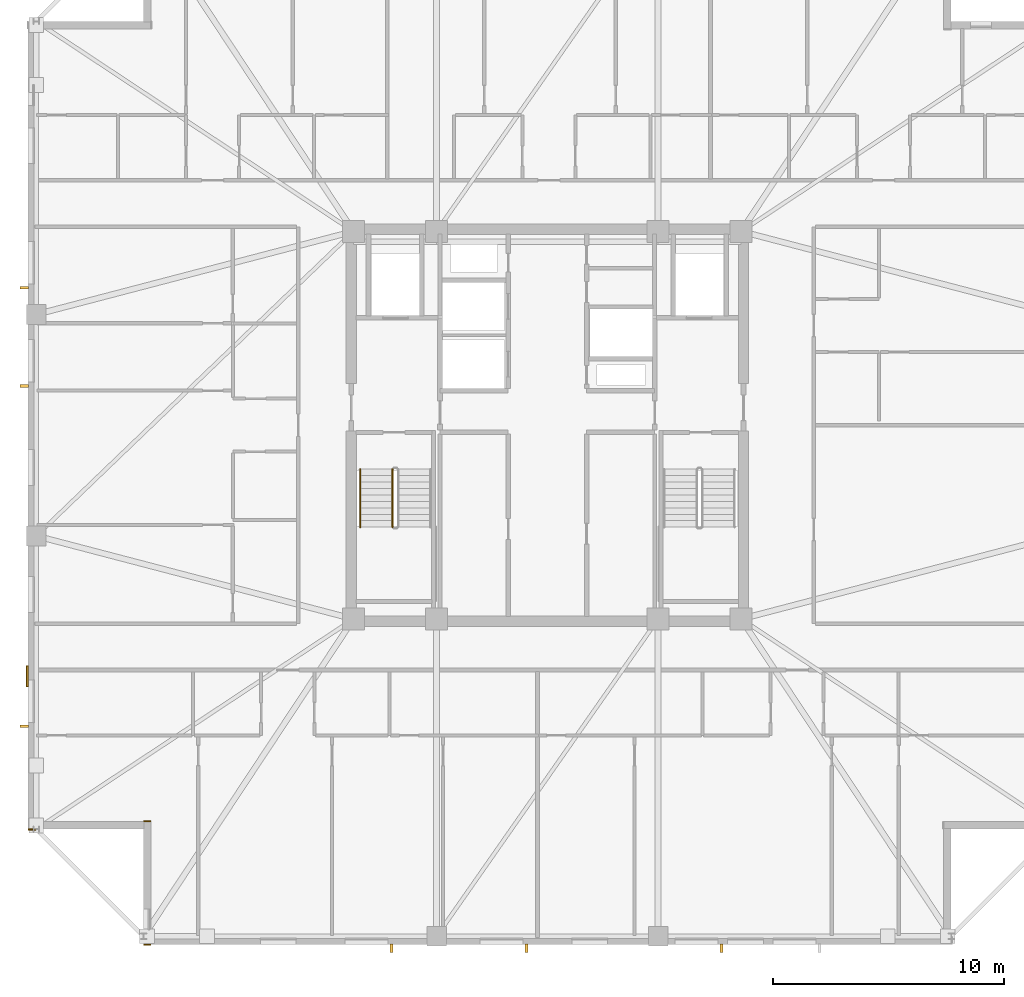
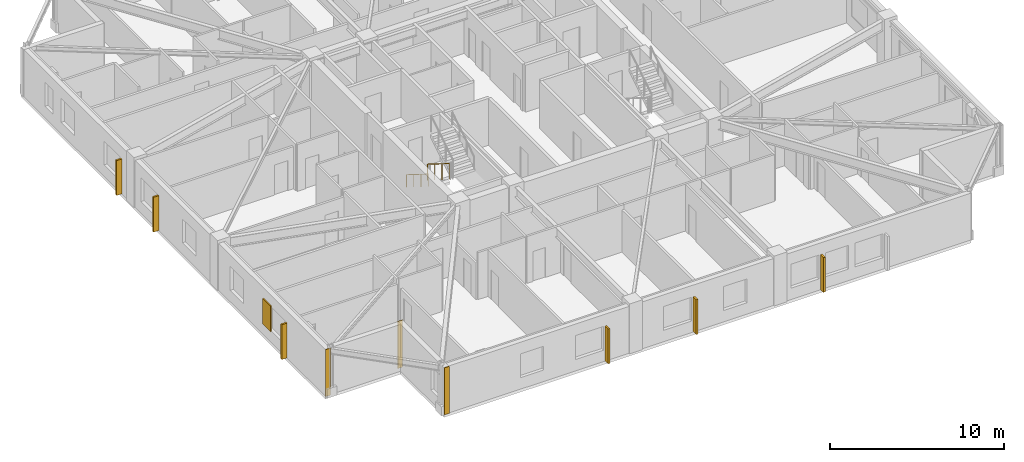
# One storey, part 13 of 17: 7 shading devices, 3 coverings, 2 railings.
"""IFC4 building model written with IfcOpenShell, lengths in metres."""

from ifc_helpers import new_model, si_unit, direction, frame, frame_2d, origin, origin_2d, place, context, subcontext, project, spatial, rectangle, circle, extrude, material, layer, layer_set, type_object, element, save


model = new_model("IFC4")

# Units and contexts
model_context = context("Model", 3, precision=1e-05, world=origin(), true_north=direction((0.0, 1.0)))
body_context = subcontext(model_context, "Body", "Model", "MODEL_VIEW")
ifc_project = project(units=[si_unit("LENGTHUNIT", "METRE"), si_unit("AREAUNIT", "SQUARE_METRE"), si_unit("VOLUMEUNIT", "CUBIC_METRE"), si_unit("PLANEANGLEUNIT", "RADIAN"), si_unit("MASSUNIT", "GRAM", prefix="KILO")], contexts=[model_context])

# Site, building, storey
site_placement = place(None, origin())
site = spatial("IfcSite", under=ifc_project, at=site_placement, CompositionType="ELEMENT")
building_placement = place(site_placement, origin())
building = spatial("IfcBuilding", under=site, at=building_placement, Name="Cairnveth Concourse Tower", CompositionType="ELEMENT")
storey_placement = place(building_placement, frame((0.0, 0.0, 223.5)))
storey = spatial("IfcBuildingStorey", under=building, at=storey_placement, Name="L61", CompositionType="ELEMENT", Elevation=223.5)

# Coverings
ifc_material_1 = material(Name="Dressed Melbourne Bluestone Cladding", Category="masonry")
ifc_layer = layer(ifc_material_1, 0.050048828125)
ifc_layer_set = layer_set([ifc_layer], Name="Dressed Melbourne Bluestone Cladding")
covering_type = type_object("IfcCoveringType", Name="DRESSED BLUESTONE PLINTH CLADDING 50", PredefinedType="CLADDING", material=ifc_layer_set)
for number, where, z_axis, x_axis, name in (
    (1, (34.820068359375, 16.47998046875, 0.0), (0.0, 0.0, 1.0), (-1.0, 0.0, 0.0), "Melbourne Bluestone Corner Quoin L61-918"),
    (2, (34.820068359375, 21.840087890625, 0.0), (0.0, 0.0, 1.0), (-1.0, 0.0, 0.0), "Melbourne Bluestone Corner Quoin L61-919"),
    (3, (29.820068359375, 21.47998046875, 0.0), (0.0, 0.0, 1.0), (-1.0, 0.0, 0.0), "Melbourne Bluestone Corner Quoin L61-920"),
):
    element("IfcCovering", number, at=place(storey_placement, frame(where, z_axis=z_axis, x_axis=x_axis)), inside=storey, type_object=covering_type, Name=name, PredefinedType="CLADDING", context=body_context, shape_type="SweptSolid", body=[
        extrude(rectangle(XDim=0.320068359375, YDim=0.050048828125, at=frame_2d((0.16015625, 0.0))), origin(), (0.0, 0.0, 1.0), 3.2900390625),
    ])

# Shading devices
ifc_material_2 = material(Name="Architectural Bronze Anodised Aluminium 6063-T6", Category="aluminium")
shading_device_type_1 = type_object("IfcShadingDeviceType", Name="GOTHIC BRONZE VERTICAL LANCET FIN", PredefinedType="USERDEFINED", material=ifc_material_2)
for number, where, z_axis, x_axis, name in (
    (4, (59.546875, 16.324951171875, 0.030029296875), (0.0, 0.0, 1.0), (1.0, 0.0, 0.0), "Gothic Bronze Vertical Fin L61-6-3"),
    (5, (51.096435546875, 16.324951171875, 0.030029296875), (0.0, 0.0, 1.0), (1.0, 0.0, 0.0), "Gothic Bronze Vertical Fin L61-6-5"),
    (6, (45.245849609375, 16.324951171875, 0.030029296875), (0.0, 0.0, 1.0), (1.0, 0.0, 0.0), "Gothic Bronze Vertical Fin L61-6-7"),
    (7, (29.324951171875, 25.95263671875, 0.030029296875), (0.0, 0.0, 1.0), (0.0, 1.0, 0.0), "Gothic Bronze Vertical Fin L61-9-1"),
    (8, (29.324951171875, 40.70361328125, 0.030029296875), (0.0, 0.0, 1.0), (0.0, 1.0, 0.0), "Gothic Bronze Vertical Fin L61-9-5"),
    (9, (29.324951171875, 44.9541015625, 0.030029296875), (0.0, 0.0, 1.0), (0.0, 1.0, 0.0), "Gothic Bronze Vertical Fin L61-9-7"),
):
    element("IfcShadingDevice", number, at=place(storey_placement, frame(where, z_axis=z_axis, x_axis=x_axis)), inside=storey, type_object=shading_device_type_1, Name=name, ObjectType="VERTICAL FIN", PredefinedType="USERDEFINED", context=body_context, shape_type="SweptSolid", body=[
        extrude(rectangle(XDim=0.1201171875, YDim=0.360107421875, at=origin_2d()), origin(), (0.0, 0.0, 1.0), 2.43798828125),
    ])

# Railings
ifc_material_3 = material(Name="Steel Grade 350", Category="steel")
railing_type_1 = type_object("IfcRailingType", Name="STAIR GUARDRAIL 1150", PredefinedType="GUARDRAIL", material=ifc_material_3)
railing_1_placement = place(storey_placement, frame((45.2900390625, 37.10009765625, 0.175048828125)))
element("IfcRailing", 10, at=railing_1_placement, inside=storey, type_object=railing_type_1, Name="L61 ST-1 stair guard 1", PredefinedType="GUARDRAIL", context=body_context, shape_type="SweptSolid", body=[
    extrude(circle(Radius=0.02392578125, at=origin_2d()), frame((0.0, 0.0, 1.1259765625), z_axis=(0.0, -0.848007534815, 0.529984170421), x_axis=(1.0, 0.0, 0.0)), (0.0, 0.0, 1.0), 2.9716796875),
    extrude(circle(Radius=0.02099609375, at=origin_2d()), origin(), (0.0, 0.0, 1.0), 1.101806640625),
    extrude(circle(Radius=0.02099609375, at=origin_2d()), frame((0.0, -0.840087890625, 0.52490234375)), (0.0, 0.0, 1.0), 1.101806640625),
    extrude(circle(Radius=0.02099609375, at=origin_2d()), frame((0.0, -1.679931640625, 1.050048828125)), (0.0, 0.0, 1.0), 1.101806640625),
    extrude(circle(Radius=0.02099609375, at=origin_2d()), frame((0.0, -2.52001953125, 1.574951171875)), (0.0, 0.0, 1.0), 1.101806640625),
])
railing_type_2 = type_object("IfcRailingType", Name="STAIR WALL HANDRAIL 900", PredefinedType="HANDRAIL", material=ifc_material_3)
railing_2_placement = place(storey_placement, frame((43.889892578125, 37.10009765625, 0.175048828125)))
element("IfcRailing", 11, at=railing_2_placement, inside=storey, type_object=railing_type_2, Name="L61 ST-1 stair handrail 1", PredefinedType="HANDRAIL", context=body_context, shape_type="SweptSolid", body=[
    extrude(circle(Radius=0.02392578125, at=origin_2d()), frame((0.0, 0.0, 0.8759765625), z_axis=(0.0, -0.848007534815, 0.529984170421), x_axis=(1.0, 0.0, 0.0)), (0.0, 0.0, 1.0), 2.9716796875),
    extrude(circle(Radius=0.02099609375, at=origin_2d()), origin(), (0.0, 0.0, 1.0), 0.851806640625),
    extrude(circle(Radius=0.02099609375, at=origin_2d()), frame((0.0, -0.840087890625, 0.52490234375)), (0.0, 0.0, 1.0), 0.851806640625),
    extrude(circle(Radius=0.02099609375, at=origin_2d()), frame((0.0, -1.679931640625, 1.050048828125)), (0.0, 0.0, 1.0), 0.851806640625),
    extrude(circle(Radius=0.02099609375, at=origin_2d()), frame((0.0, -2.52001953125, 1.574951171875)), (0.0, 0.0, 1.0), 0.851806640625),
])

# Shading device
shading_device_type_2 = type_object("IfcShadingDeviceType", Name="WEST SOLAR PERFORATED SHUTTER", PredefinedType="SHUTTER", material=ifc_material_2)
shading_device_placement = place(storey_placement, frame((29.464111328125, 28.12255859375, 0.7998046875), z_axis=(0.0, 0.0, 1.0), x_axis=(1.0, 0.0, 0.0)))
element("IfcShadingDevice", 12, at=shading_device_placement, inside=storey, type_object=shading_device_type_2, Name="West Solar Shutter L61", PredefinedType="SHUTTER", context=body_context, shape_type="SweptSolid", body=[
    extrude(rectangle(XDim=0.080078125, YDim=0.89990234375, at=origin_2d()), origin(), (0.0, 0.0, 1.0), 1.800048828125),
])

save(model, "model.ifc")
